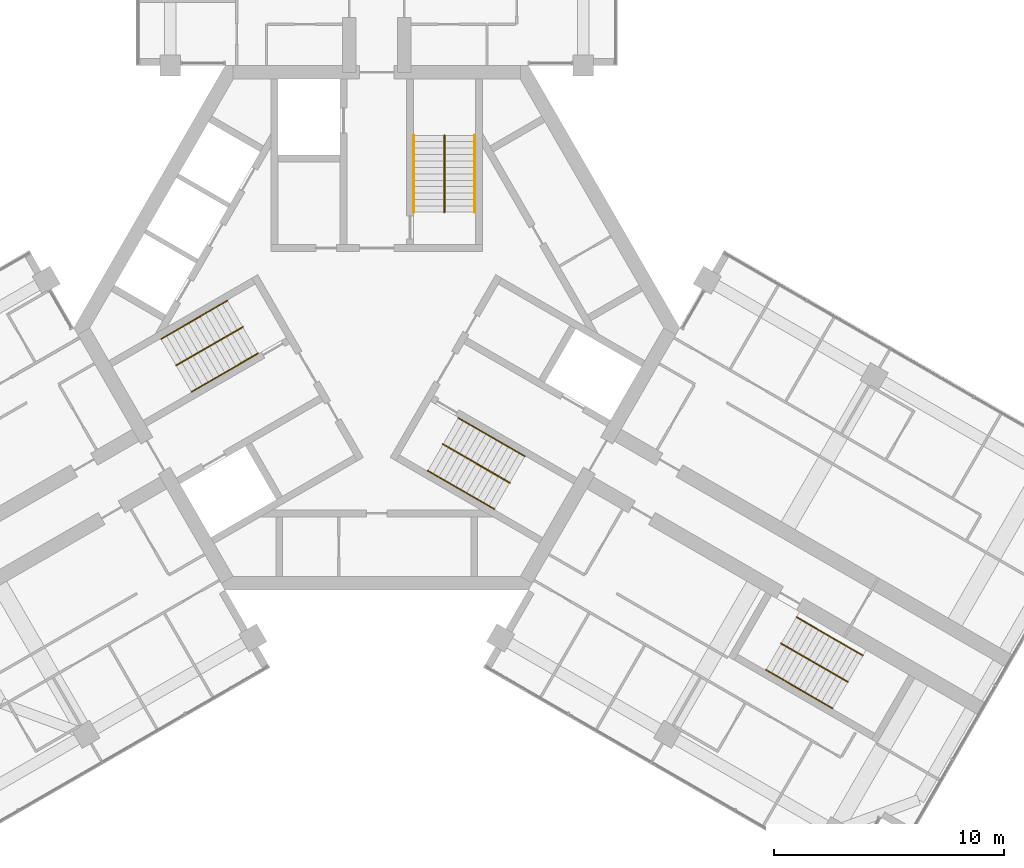
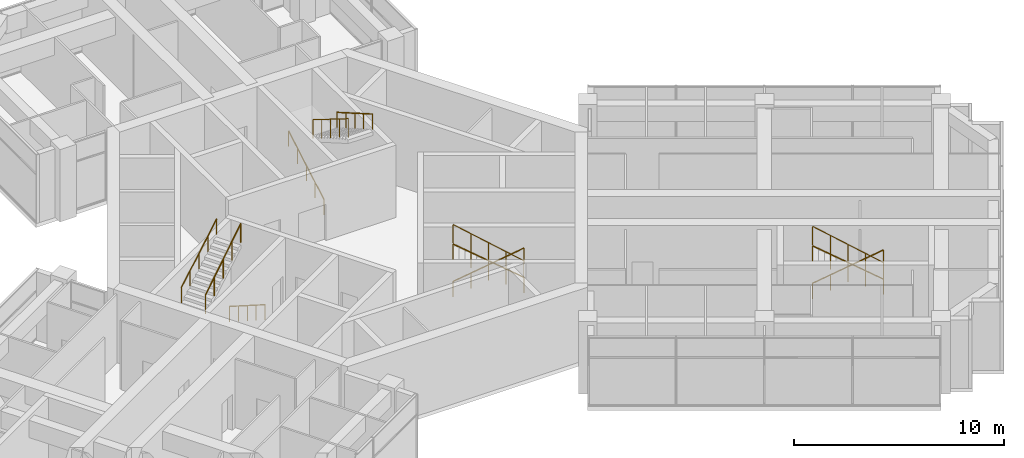
# One storey, part 14 of 14: 12 railings.
"""IFC4 building model written with IfcOpenShell, lengths in metres."""

from ifc_helpers import new_model, si_unit, direction, frame, origin, origin_2d, place, context, subcontext, project, spatial, circle, extrude, material, type_object, element, save


model = new_model("IFC4")

# Units and contexts
model_context = context("Model", 3, precision=1e-05, world=origin(), true_north=direction((0.0, 1.0)))
body_context = subcontext(model_context, "Body", "Model", "MODEL_VIEW")
ifc_project = project(units=[si_unit("LENGTHUNIT", "METRE"), si_unit("AREAUNIT", "SQUARE_METRE"), si_unit("VOLUMEUNIT", "CUBIC_METRE"), si_unit("PLANEANGLEUNIT", "RADIAN"), si_unit("MASSUNIT", "GRAM", prefix="KILO")], contexts=[model_context])

# Site, building, storey
site_placement = place(None, origin())
site = spatial("IfcSite", under=ifc_project, at=site_placement, CompositionType="ELEMENT")
building_placement = place(site_placement, origin())
building = spatial("IfcBuilding", under=site, at=building_placement, Name="Impinga Residences", CompositionType="ELEMENT")
storey_placement = place(building_placement, frame((0.0, 0.0, 278.949951171875)))
storey = spatial("IfcBuildingStorey", under=building, at=storey_placement, Name="L70", CompositionType="ELEMENT", Elevation=278.949951171875)

# Railings
ifc_material_1 = material(Name="Steel guard, powder coated", Category="steel")
railing_type_1 = type_object("IfcRailingType", Name="GR1 stair guard 1100", PredefinedType="GUARDRAIL", material=ifc_material_1)
railing_1_placement = place(storey_placement, frame((2.949951171875, 8.389892578125, 2.10009765625)))
element("IfcRailing", 1, at=railing_1_placement, inside=storey, type_object=railing_type_1, Name="Stair guard GR1 ST1 L70", PredefinedType="GUARDRAIL", context=body_context, shape_type="SweptSolid", body=[
    extrude(circle(Radius=0.02392578125, at=origin_2d()), frame((0.0, 0.0, 1.076171875), z_axis=(0.0, -0.848005227453, 0.529987862325), x_axis=(1.0, 0.0, 0.0)), (0.0, 0.0, 1.0), 3.962158203125),
    extrude(circle(Radius=0.02099609375, at=origin_2d()), origin(), (0.0, 0.0, 1.0), 1.052001953125),
    extrude(circle(Radius=0.02099609375, at=origin_2d()), frame((0.0, -0.83984375, 0.52490234375)), (0.0, 0.0, 1.0), 1.052001953125),
    extrude(circle(Radius=0.02099609375, at=origin_2d()), frame((0.0, -1.679931640625, 1.0498046875)), (0.0, 0.0, 1.0), 1.052001953125),
    extrude(circle(Radius=0.02099609375, at=origin_2d()), frame((0.0, -2.52001953125, 1.574951171875)), (0.0, 0.0, 1.0), 1.052001953125),
    extrude(circle(Radius=0.02099609375, at=origin_2d()), frame((0.0, -3.35986328125, 2.099853515625)), (0.0, 0.0, 1.0), 1.052001953125),
])
railing_2_placement = place(storey_placement, frame((-8.740966796875, -1.64013671875, 2.10009765625)))
element("IfcRailing", 2, at=railing_2_placement, inside=storey, type_object=railing_type_1, Name="Stair guard GR1 ST2 L70", PredefinedType="GUARDRAIL", context=body_context, shape_type="SweptSolid", body=[
    extrude(circle(Radius=0.02392578125, at=origin_2d()), frame((0.0, 0.0, 1.076171875), z_axis=(0.734415596072, 0.423988062469, 0.529969673783), x_axis=(-0.499976138585, 0.866039179741, 0.0)), (0.0, 0.0, 1.0), 3.962158203125),
    extrude(circle(Radius=0.02099609375, at=origin_2d()), origin(), (0.0, 0.0, 1.0), 1.052001953125),
    extrude(circle(Radius=0.02099609375, at=origin_2d()), frame((0.7275390625, 0.419921875, 0.52490234375)), (0.0, 0.0, 1.0), 1.052001953125),
    extrude(circle(Radius=0.02099609375, at=origin_2d()), frame((1.455078125, 0.83984375, 1.0498046875)), (0.0, 0.0, 1.0), 1.052001953125),
    extrude(circle(Radius=0.02099609375, at=origin_2d()), frame((2.182373046875, 1.260009765625, 1.574951171875)), (0.0, 0.0, 1.0), 1.052001953125),
    extrude(circle(Radius=0.02099609375, at=origin_2d()), frame((2.909912109375, 1.679931640625, 2.099853515625)), (0.0, 0.0, 1.0), 1.052001953125),
])
for number, where, name in (
    (3, (5.791015625, -6.749755859375, 2.10009765625), "Stair guard GR1 ST3 L70"),
    (4, (20.5263671875, -15.430419921875, 2.10009765625), "Stair guard GR1 WS3 L70"),
):
    element("IfcRailing", number, at=place(storey_placement, frame(where)), inside=storey, type_object=railing_type_1, Name=name, PredefinedType="GUARDRAIL", context=body_context, shape_type="SweptSolid", body=[
        extrude(circle(Radius=0.02392578125, at=origin_2d()), frame((0.0, 0.0, 1.076171875), z_axis=(-0.734415596072, 0.423988062469, 0.529969673783), x_axis=(-0.499976138585, -0.866039179741, 0.0)), (0.0, 0.0, 1.0), 3.962158203125),
        extrude(circle(Radius=0.02099609375, at=origin_2d()), origin(), (0.0, 0.0, 1.0), 1.052001953125),
        extrude(circle(Radius=0.02099609375, at=origin_2d()), frame((-0.7275390625, 0.419921875, 0.52490234375)), (0.0, 0.0, 1.0), 1.052001953125),
        extrude(circle(Radius=0.02099609375, at=origin_2d()), frame((-1.455078125, 0.83984375, 1.0498046875)), (0.0, 0.0, 1.0), 1.052001953125),
        extrude(circle(Radius=0.02099609375, at=origin_2d()), frame((-2.182373046875, 1.260009765625, 1.574951171875)), (0.0, 0.0, 1.0), 1.052001953125),
        extrude(circle(Radius=0.02099609375, at=origin_2d()), frame((-2.909912109375, 1.679931640625, 2.099853515625)), (0.0, 0.0, 1.0), 1.052001953125),
    ])
ifc_material_2 = material(Name="Steel handrail tube 42 mm, powder coated", Category="steel")
railing_type_2 = type_object("IfcRailingType", Name="HR1 stair handrail, 42 mm steel tube, 900 above the pitch line", PredefinedType="HANDRAIL", material=ifc_material_2)
railing_3_placement = place(storey_placement, frame((1.62109375, 5.030029296875, 0.16162109375)))
element("IfcRailing", 5, at=railing_3_placement, inside=storey, type_object=railing_type_2, Name="Stair handrail HR1 ST1 L70", PredefinedType="HANDRAIL", context=body_context, shape_type="SweptSolid", body=[
    extrude(circle(Radius=0.02099609375, at=origin_2d()), frame((0.0, 0.0, 0.87890625), z_axis=(0.0, 0.866175107563, 0.499740615757), x_axis=(-1.0, 0.0, 0.0)), (0.0, 0.0, 1.0), 3.87890625),
    extrude(circle(Radius=0.012451171875, at=origin_2d()), origin(), (0.0, 0.0, 1.0), 0.85791015625),
    extrude(circle(Radius=0.012451171875, at=origin_2d()), frame((0.0, 0.83984375, 0.484619140625)), (0.0, 0.0, 1.0), 0.85791015625),
    extrude(circle(Radius=0.012451171875, at=origin_2d()), frame((0.0, 1.679931640625, 0.96923828125)), (0.0, 0.0, 1.0), 0.85791015625),
    extrude(circle(Radius=0.012451171875, at=origin_2d()), frame((0.0, 2.52001953125, 1.453857421875)), (0.0, 0.0, 1.0), 0.85791015625),
    extrude(circle(Radius=0.012451171875, at=origin_2d()), frame((0.0, 3.35986328125, 1.9384765625)), (0.0, 0.0, 1.0), 0.85791015625),
])
railing_4_placement = place(storey_placement, frame((4.279052734375, 8.389892578125, 2.261474609375)))
element("IfcRailing", 6, at=railing_4_placement, inside=storey, type_object=railing_type_2, Name="Stair handrail HR1 ST1 L70", PredefinedType="HANDRAIL", context=body_context, shape_type="SweptSolid", body=[
    extrude(circle(Radius=0.02099609375, at=origin_2d()), frame((0.0, 0.0, 0.87890625), z_axis=(0.0, -0.866175107563, 0.499740615757), x_axis=(1.0, 0.0, 0.0)), (0.0, 0.0, 1.0), 3.87890625),
    extrude(circle(Radius=0.012451171875, at=origin_2d()), origin(), (0.0, 0.0, 1.0), 0.85791015625),
    extrude(circle(Radius=0.012451171875, at=origin_2d()), frame((0.0, -0.83984375, 0.484619140625)), (0.0, 0.0, 1.0), 0.85791015625),
    extrude(circle(Radius=0.012451171875, at=origin_2d()), frame((0.0, -1.679931640625, 0.96923828125)), (0.0, 0.0, 1.0), 0.85791015625),
    extrude(circle(Radius=0.012451171875, at=origin_2d()), frame((0.0, -2.52001953125, 1.453857421875)), (0.0, 0.0, 1.0), 0.85791015625),
    extrude(circle(Radius=0.012451171875, at=origin_2d()), frame((0.0, -3.35986328125, 1.9384765625)), (0.0, 0.0, 1.0), 0.85791015625),
])
railing_5_placement = place(storey_placement, frame((-5.16650390625, -1.111083984375, 0.16162109375)))
element("IfcRailing", 7, at=railing_5_placement, inside=storey, type_object=railing_type_2, Name="Stair handrail HR1 ST2 L70", PredefinedType="HANDRAIL", context=body_context, shape_type="SweptSolid", body=[
    extrude(circle(Radius=0.02099609375, at=origin_2d()), frame((0.0, 0.0, 0.87890625), z_axis=(-0.750130072985, -0.43312317831, 0.499709101393), x_axis=(0.500030632641, -0.866007717299, 0.0)), (0.0, 0.0, 1.0), 3.879150390625),
    extrude(circle(Radius=0.012451171875, at=origin_2d()), origin(), (0.0, 0.0, 1.0), 0.85791015625),
    extrude(circle(Radius=0.012451171875, at=origin_2d()), frame((-0.7275390625, -0.419921875, 0.484619140625)), (0.0, 0.0, 1.0), 0.85791015625),
    extrude(circle(Radius=0.012451171875, at=origin_2d()), frame((-1.455078125, -0.840087890625, 0.96923828125)), (0.0, 0.0, 1.0), 0.85791015625),
    extrude(circle(Radius=0.012451171875, at=origin_2d()), frame((-2.182373046875, -1.26025390625, 1.453857421875)), (0.0, 0.0, 1.0), 0.85791015625),
    extrude(circle(Radius=0.012451171875, at=origin_2d()), frame((-2.909912109375, -1.68017578125, 1.9384765625)), (0.0, 0.0, 1.0), 0.85791015625),
])
railing_6_placement = place(storey_placement, frame((-9.405517578125, -0.4892578125, 2.261474609375)))
element("IfcRailing", 8, at=railing_6_placement, inside=storey, type_object=railing_type_2, Name="Stair handrail HR1 ST2 L70", PredefinedType="HANDRAIL", context=body_context, shape_type="SweptSolid", body=[
    extrude(circle(Radius=0.02099609375, at=origin_2d()), frame((0.0, 0.0, 0.87890625), z_axis=(0.750150520049, 0.433072047022, 0.499722722476), x_axis=(-0.499976138585, 0.866039179741, 0.0)), (0.0, 0.0, 1.0), 3.879150390625),
    extrude(circle(Radius=0.012451171875, at=origin_2d()), origin(), (0.0, 0.0, 1.0), 0.85791015625),
    extrude(circle(Radius=0.012451171875, at=origin_2d()), frame((0.7275390625, 0.419921875, 0.484619140625)), (0.0, 0.0, 1.0), 0.85791015625),
    extrude(circle(Radius=0.012451171875, at=origin_2d()), frame((1.455078125, 0.83984375, 0.96923828125)), (0.0, 0.0, 1.0), 0.85791015625),
    extrude(circle(Radius=0.012451171875, at=origin_2d()), frame((2.182373046875, 1.260009765625, 1.453857421875)), (0.0, 0.0, 1.0), 0.85791015625),
    extrude(circle(Radius=0.012451171875, at=origin_2d()), frame((2.909912109375, 1.679931640625, 1.9384765625)), (0.0, 0.0, 1.0), 0.85791015625),
])
railing_7_placement = place(storey_placement, frame((3.545654296875, -3.9189453125, 0.16162109375)))
element("IfcRailing", 9, at=railing_7_placement, inside=storey, type_object=railing_type_2, Name="Stair handrail HR1 ST3 L70", PredefinedType="HANDRAIL", context=body_context, shape_type="SweptSolid", body=[
    extrude(circle(Radius=0.02099609375, at=origin_2d()), frame((0.0, 0.0, 0.87890625), z_axis=(0.750150520049, -0.433072047022, 0.499722722476), x_axis=(0.499976138585, 0.866039179741, 0.0)), (0.0, 0.0, 1.0), 3.879150390625),
    extrude(circle(Radius=0.012451171875, at=origin_2d()), origin(), (0.0, 0.0, 1.0), 0.85791015625),
    extrude(circle(Radius=0.012451171875, at=origin_2d()), frame((0.7275390625, -0.419921875, 0.484619140625)), (0.0, 0.0, 1.0), 0.85791015625),
    extrude(circle(Radius=0.012451171875, at=origin_2d()), frame((1.455078125, -0.83984375, 0.96923828125)), (0.0, 0.0, 1.0), 0.85791015625),
    extrude(circle(Radius=0.012451171875, at=origin_2d()), frame((2.182373046875, -1.260009765625, 1.453857421875)), (0.0, 0.0, 1.0), 0.85791015625),
    extrude(circle(Radius=0.012451171875, at=origin_2d()), frame((2.909912109375, -1.679931640625, 1.9384765625)), (0.0, 0.0, 1.0), 0.85791015625),
])
railing_8_placement = place(storey_placement, frame((5.12646484375, -7.900634765625, 2.261474609375)))
element("IfcRailing", 10, at=railing_8_placement, inside=storey, type_object=railing_type_2, Name="Stair handrail HR1 ST3 L70", PredefinedType="HANDRAIL", context=body_context, shape_type="SweptSolid", body=[
    extrude(circle(Radius=0.02099609375, at=origin_2d()), frame((0.0, 0.0, 0.87890625), z_axis=(-0.750150520049, 0.433072047022, 0.499722722476), x_axis=(-0.499976138585, -0.866039179741, 0.0)), (0.0, 0.0, 1.0), 3.879150390625),
    extrude(circle(Radius=0.012451171875, at=origin_2d()), origin(), (0.0, 0.0, 1.0), 0.85791015625),
    extrude(circle(Radius=0.012451171875, at=origin_2d()), frame((-0.7275390625, 0.419921875, 0.484619140625)), (0.0, 0.0, 1.0), 0.85791015625),
    extrude(circle(Radius=0.012451171875, at=origin_2d()), frame((-1.455078125, 0.83984375, 0.96923828125)), (0.0, 0.0, 1.0), 0.85791015625),
    extrude(circle(Radius=0.012451171875, at=origin_2d()), frame((-2.182373046875, 1.260009765625, 1.453857421875)), (0.0, 0.0, 1.0), 0.85791015625),
    extrude(circle(Radius=0.012451171875, at=origin_2d()), frame((-2.909912109375, 1.679931640625, 1.9384765625)), (0.0, 0.0, 1.0), 0.85791015625),
])
railing_9_placement = place(storey_placement, frame((18.281005859375, -12.599609375, 0.16162109375)))
element("IfcRailing", 11, at=railing_9_placement, inside=storey, type_object=railing_type_2, Name="Stair handrail HR1 WS3 L70", PredefinedType="HANDRAIL", context=body_context, shape_type="SweptSolid", body=[
    extrude(circle(Radius=0.02099609375, at=origin_2d()), frame((0.0, 0.0, 0.87890625), z_axis=(0.750150520049, -0.433072047022, 0.499722722476), x_axis=(0.499976138585, 0.866039179741, 0.0)), (0.0, 0.0, 1.0), 3.879150390625),
    extrude(circle(Radius=0.012451171875, at=origin_2d()), origin(), (0.0, 0.0, 1.0), 0.85791015625),
    extrude(circle(Radius=0.012451171875, at=origin_2d()), frame((0.7275390625, -0.419921875, 0.484619140625)), (0.0, 0.0, 1.0), 0.85791015625),
    extrude(circle(Radius=0.012451171875, at=origin_2d()), frame((1.455078125, -0.83984375, 0.96923828125)), (0.0, 0.0, 1.0), 0.85791015625),
    extrude(circle(Radius=0.012451171875, at=origin_2d()), frame((2.182373046875, -1.260009765625, 1.453857421875)), (0.0, 0.0, 1.0), 0.85791015625),
    extrude(circle(Radius=0.012451171875, at=origin_2d()), frame((2.909912109375, -1.679931640625, 1.9384765625)), (0.0, 0.0, 1.0), 0.85791015625),
])
railing_10_placement = place(storey_placement, frame((19.86181640625, -16.581298828125, 2.261474609375)))
element("IfcRailing", 12, at=railing_10_placement, inside=storey, type_object=railing_type_2, Name="Stair handrail HR1 WS3 L70", PredefinedType="HANDRAIL", context=body_context, shape_type="SweptSolid", body=[
    extrude(circle(Radius=0.02099609375, at=origin_2d()), frame((0.0, 0.0, 0.87890625), z_axis=(-0.750150520049, 0.433072047022, 0.499722722476), x_axis=(-0.499976138585, -0.866039179741, 0.0)), (0.0, 0.0, 1.0), 3.879150390625),
    extrude(circle(Radius=0.012451171875, at=origin_2d()), origin(), (0.0, 0.0, 1.0), 0.85791015625),
    extrude(circle(Radius=0.012451171875, at=origin_2d()), frame((-0.7275390625, 0.419921875, 0.484619140625)), (0.0, 0.0, 1.0), 0.85791015625),
    extrude(circle(Radius=0.012451171875, at=origin_2d()), frame((-1.455078125, 0.83984375, 0.96923828125)), (0.0, 0.0, 1.0), 0.85791015625),
    extrude(circle(Radius=0.012451171875, at=origin_2d()), frame((-2.182373046875, 1.260009765625, 1.453857421875)), (0.0, 0.0, 1.0), 0.85791015625),
    extrude(circle(Radius=0.012451171875, at=origin_2d()), frame((-2.909912109375, 1.679931640625, 1.9384765625)), (0.0, 0.0, 1.0), 0.85791015625),
])

save(model, "model.ifc")
